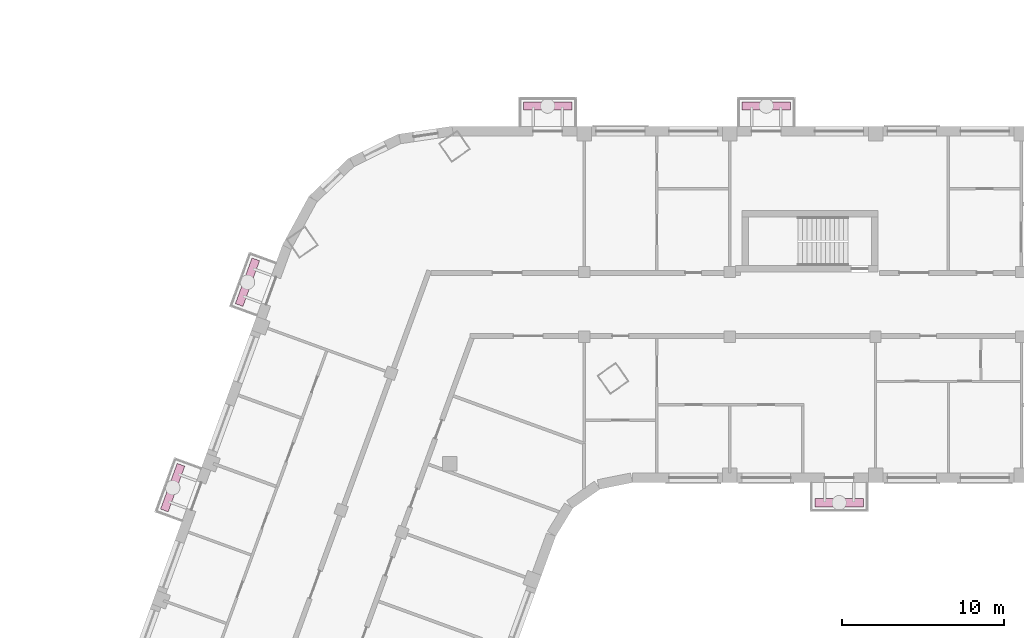
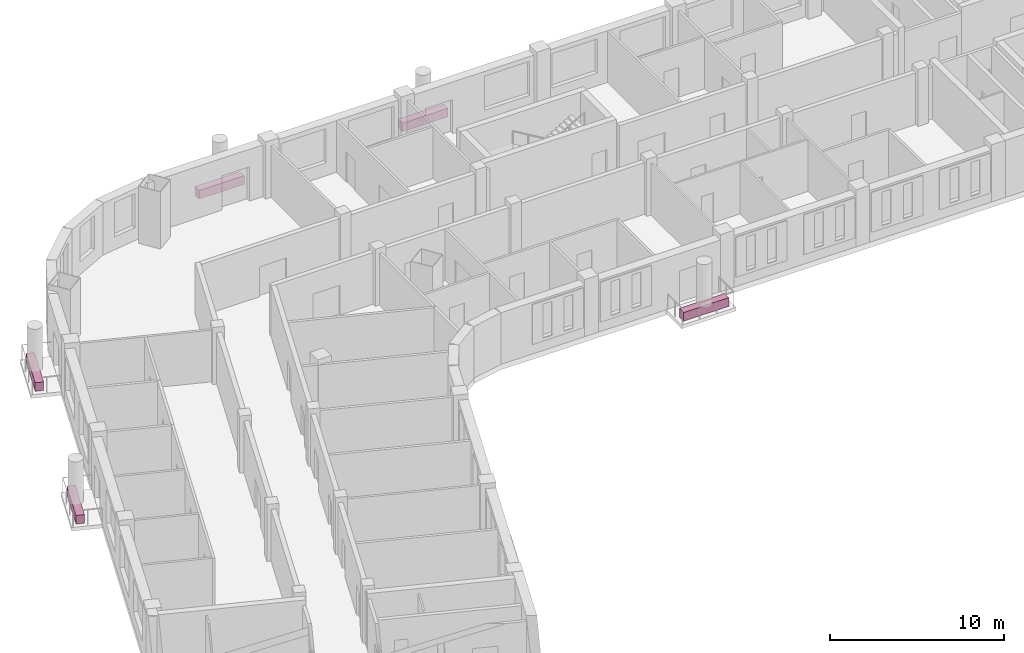
# One storey, part 14 of 15: 5 furniture elements.
"""IFC4 building model written with IfcOpenShell, lengths in metres."""

from ifc_helpers import new_model, si_unit, direction, frame, origin, origin_2d, place, context, subcontext, project, spatial, rectangle, extrude, element, save


model = new_model("IFC4")

# Units and contexts
model_context = context("Model", 3, precision=1e-05, world=origin(), true_north=direction((0.0, 1.0)))
body_context = subcontext(model_context, "Body", "Model", "MODEL_VIEW")
ifc_project = project(units=[si_unit("LENGTHUNIT", "METRE"), si_unit("AREAUNIT", "SQUARE_METRE"), si_unit("VOLUMEUNIT", "CUBIC_METRE"), si_unit("PLANEANGLEUNIT", "RADIAN"), si_unit("MASSUNIT", "GRAM", prefix="KILO")], contexts=[model_context])

# Site, building, storey
site_placement = place(None, origin())
site = spatial("IfcSite", under=ifc_project, at=site_placement, CompositionType="ELEMENT")
building_placement = place(site_placement, origin())
building = spatial("IfcBuilding", under=site, at=building_placement, Name="Skarvind Civic Tower", CompositionType="ELEMENT")
storey_placement = place(building_placement, frame((0.0, 0.0, 55.5)))
storey = spatial("IfcBuildingStorey", under=building, at=storey_placement, Name="L12", CompositionType="ELEMENT", Elevation=55.5)

# Furniture
for number, where, z_axis, x_axis, name in (
    (1, (70.0, 115.75, 0.0), (0.0, 0.0, 1.0), (-1.0, 0.0, 0.0), "TREE BALCONY PLANTER"),
    (2, (52.0, 140.25, 0.0), (0.0, 0.0, 1.0), (1.0, 0.0, 0.0), "TREE BALCONY PLANTER"),
    (3, (65.5, 140.25, 0.0), (0.0, 0.0, 1.0), (1.0, 0.0, 0.0), "TREE BALCONY PLANTER"),
    (4, (28.845458984375, 116.684814453125, 0.0), (0.0, 0.0, 1.0), (0.342020143326, 0.939692620786, 0.0), "TREE BALCONY PLANTER"),
    (5, (33.462646484375, 129.37060546875, 0.0), (0.0, 0.0, 1.0), (0.342020143326, 0.939692620786, 0.0), "TREE BALCONY PLANTER"),
):
    element("IfcFurniture", number, at=place(storey_placement, frame(where, z_axis=z_axis, x_axis=x_axis)), inside=storey, Name=name, ObjectType="PLANTER", PredefinedType="USERDEFINED", context=body_context, shape_type="SweptSolid", body=[
        extrude(rectangle(XDim=3.0, YDim=0.5, at=origin_2d()), origin(), (0.0, 0.0, 1.0), 0.60009765625),
    ])

save(model, "model.ifc")
